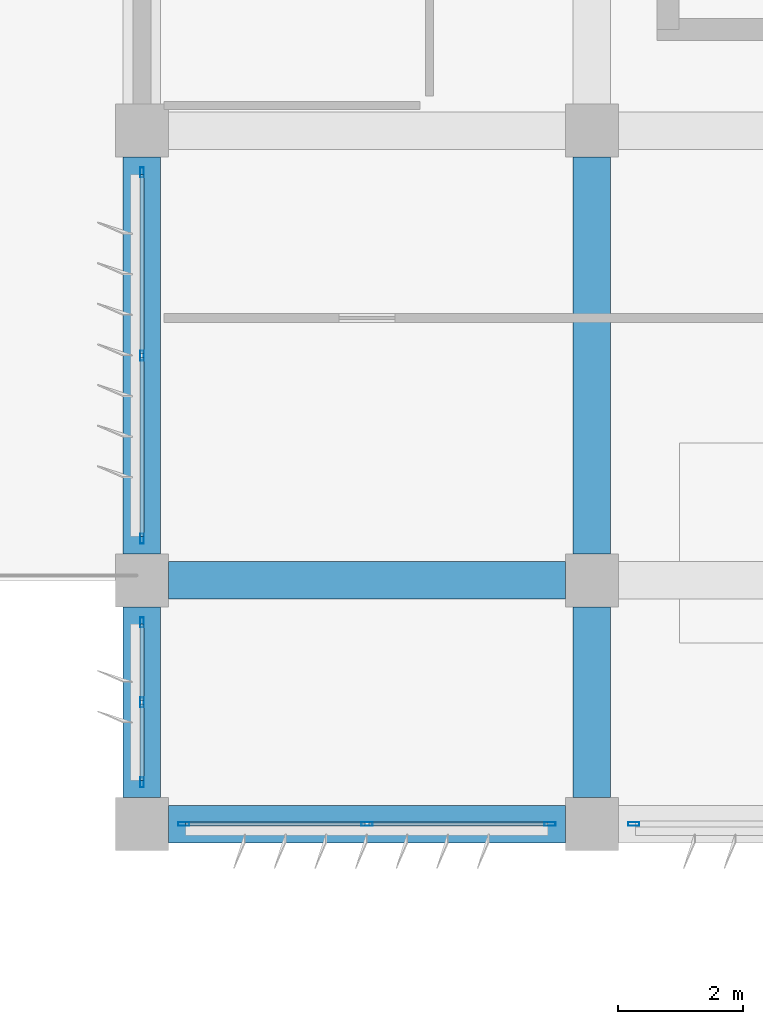
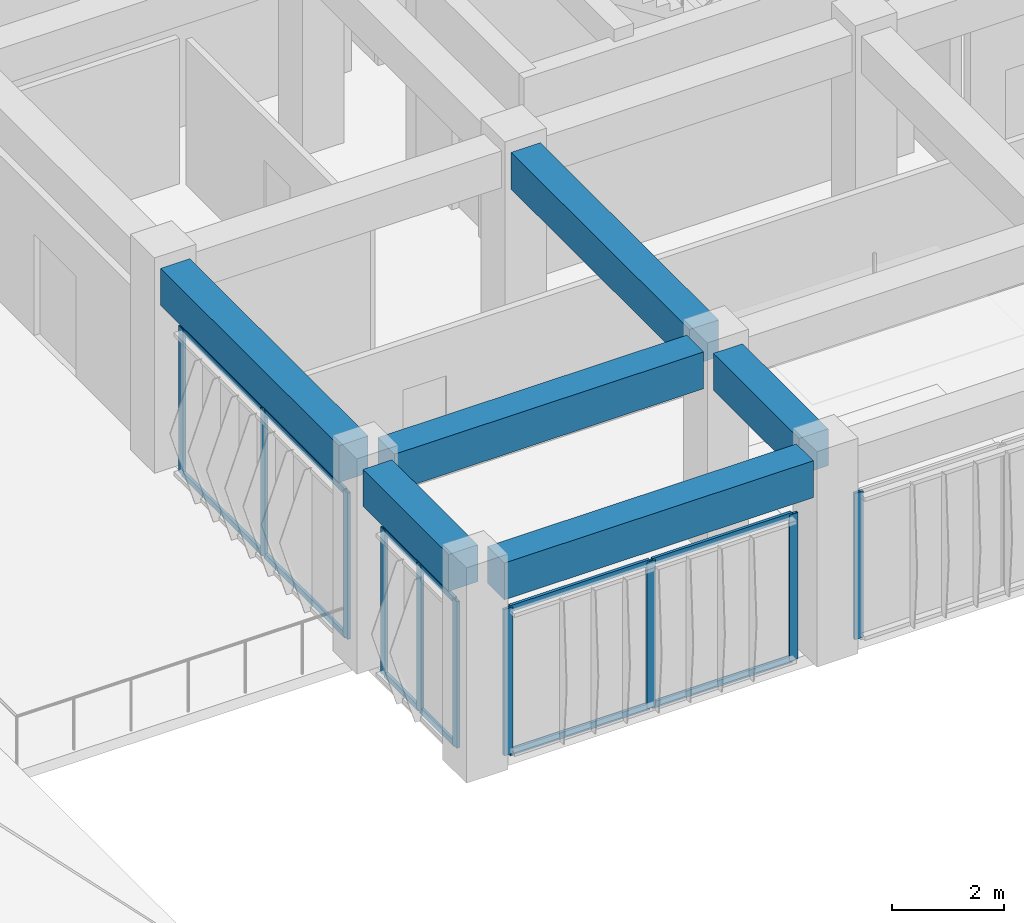
# One storey, part 2 of 55: 22 members, 6 beams, 4 elements without a shape of their own.
"""IFC4 building model written with IfcOpenShell, lengths in metres."""

from ifc_helpers import new_model, si_unit, direction, frame, origin, origin_2d, place, context, subcontext, project, spatial, rectangle, hollow_rectangle, extrude, material, material_profile, profile_set, type_object, element, aggregate, save


model = new_model("IFC4")

# Units and contexts
model_context = context("Model", 3, precision=1e-05, world=origin(), true_north=direction((0.0, 1.0)))
body_context = subcontext(model_context, "Body", "Model", "MODEL_VIEW")
ifc_project = project(units=[si_unit("LENGTHUNIT", "METRE"), si_unit("AREAUNIT", "SQUARE_METRE"), si_unit("VOLUMEUNIT", "CUBIC_METRE"), si_unit("PLANEANGLEUNIT", "RADIAN"), si_unit("MASSUNIT", "GRAM", prefix="KILO")], contexts=[model_context])

# Site, building, storey
site_placement = place(None, origin())
site = spatial("IfcSite", under=ifc_project, at=site_placement, CompositionType="ELEMENT")
building_placement = place(site_placement, origin())
building = spatial("IfcBuilding", under=site, at=building_placement, Name="Kazehaya Institute of Natural Sciences", CompositionType="ELEMENT")
storey_placement = place(building_placement, frame((0.0, 0.0, 15.1201171875)))
storey = spatial("IfcBuildingStorey", under=building, at=storey_placement, Name="L03", CompositionType="ELEMENT", Elevation=15.1201171875)

# Beams
ifc_material_1 = material(Name="Concrete Fc36", Category="concrete")
ifc_material_profile_1 = material_profile(ifc_material_1, rectangle(XDim=0.60009765625, YDim=0.800048828125, at=origin_2d()), Name="RC-600x800")
ifc_profile_set_1 = profile_set([ifc_material_profile_1], Name="Concrete Fc36")
beam_type = type_object("IfcBeamType", Name="BM-G-600x800", PredefinedType="BEAM", material=ifc_profile_set_1)
for number, where, z_axis, x_axis, name in (
    (1, (55.02490234375, 10.10009765625, 4.009765625), (1.0, 0.0, 0.0), (0.0, 1.0, 0.0), "L03 primary X girder BMX-L03-546-101"),
    (2, (55.02490234375, 14.0, 4.009765625), (1.0, 0.0, 0.0), (0.0, 1.0, 0.0), "L03 primary X girder BMX-L03-546-140"),
):
    element("IfcBeam", number, at=place(storey_placement, frame(where, z_axis=z_axis, x_axis=x_axis)), inside=storey, type_object=beam_type, Name=name, PredefinedType="BEAM", context=body_context, shape_type="SweptSolid", body=[
        extrude(rectangle(XDim=0.60009765625, YDim=0.800048828125, at=origin_2d()), origin(), (0.0, 0.0, 1.0), 6.35009765625),
    ])
beam_1_placement = place(storey_placement, frame((54.60009765625, 10.52490234375, 4.009765625), z_axis=(0.0, 1.0, 0.0), x_axis=(-1.0, 0.0, 0.0)))
element("IfcBeam", 3, at=beam_1_placement, inside=storey, type_object=beam_type, Name="L03 primary Y girder BMY-L03-546-101", PredefinedType="BEAM", context=body_context, shape_type="SweptSolid", body=[
    extrude(rectangle(XDim=0.60009765625, YDim=0.800048828125, at=origin_2d()), origin(), (0.0, 0.0, 1.0), 3.050048828125),
])
beam_2_placement = place(storey_placement, frame((54.60009765625, 14.425048828125, 4.009765625), z_axis=(0.0, 1.0, 0.0), x_axis=(-1.0, 0.0, 0.0)))
element("IfcBeam", 4, at=beam_2_placement, inside=storey, type_object=beam_type, Name="L03 primary Y girder BMY-L03-546-140", PredefinedType="BEAM", context=body_context, shape_type="SweptSolid", body=[
    extrude(rectangle(XDim=0.60009765625, YDim=0.800048828125, at=origin_2d()), origin(), (0.0, 0.0, 1.0), 6.349853515625),
])
beam_3_placement = place(storey_placement, frame((61.800048828125, 10.52490234375, 4.009765625), z_axis=(0.0, 1.0, 0.0), x_axis=(-1.0, 0.0, 0.0)))
element("IfcBeam", 5, at=beam_3_placement, inside=storey, type_object=beam_type, Name="L03 primary Y girder BMY-L03-618-101", PredefinedType="BEAM", context=body_context, shape_type="SweptSolid", body=[
    extrude(rectangle(XDim=0.60009765625, YDim=0.800048828125, at=origin_2d()), origin(), (0.0, 0.0, 1.0), 3.050048828125),
])
beam_4_placement = place(storey_placement, frame((61.800048828125, 14.425048828125, 4.009765625), z_axis=(0.0, 1.0, 0.0), x_axis=(-1.0, 0.0, 0.0)))
element("IfcBeam", 6, at=beam_4_placement, inside=storey, type_object=beam_type, Name="L03 primary Y girder BMY-L03-618-140", PredefinedType="BEAM", context=body_context, shape_type="SweptSolid", body=[
    extrude(rectangle(XDim=0.60009765625, YDim=0.800048828125, at=origin_2d()), origin(), (0.0, 0.0, 1.0), 6.349853515625),
])

# Curtain wall, members
ifc_material_2 = material(Name="Aluminium alloy A6063S-T5", Category="aluminium")
curtain_wall_type_1 = type_object("IfcCurtainWallType", Name="CW-SYS-07", PredefinedType="NOTDEFINED", material=ifc_material_2)
curtain_wall_1_placement = place(storey_placement, origin())
curtain_wall_1 = element("IfcCurtainWall", 7, at=curtain_wall_1_placement, inside=storey, type_object=curtain_wall_type_1, Name="L03 unitised curtain wall CW-L03-068", PredefinedType="NOTDEFINED")
ifc_material_profile_2 = material_profile(ifc_material_2, hollow_rectangle(XDim=0.06005859375, YDim=0.159912109375, WallThickness=0.00390625, at=origin_2d()), Name="ALU-60x160x4")
ifc_profile_set_2 = profile_set([ifc_material_profile_2], Name="Aluminium alloy A6063S-T5")
member_type_1 = type_object("IfcMemberType", Name="CWM-160", PredefinedType="MULLION", material=ifc_profile_set_2)
member_1_placement = place(storey_placement, frame((54.60009765625, 10.77001953125, 0.0), z_axis=(0.0, 0.0, 1.0), x_axis=(-1.0, 0.0, 0.0)))
member_1 = element("IfcMember", 8, at=member_1_placement, type_object=member_type_1, Name="CW07 mullion 1", PredefinedType="MULLION", context=body_context, shape_type="SweptSolid", body=[
    extrude(hollow_rectangle(XDim=0.06005859375, YDim=0.159912109375, WallThickness=0.00390625, at=origin_2d()), origin(), (0.0, 0.0, 1.0), 3.179931640625),
])
member_2_placement = place(storey_placement, frame((54.60009765625, 12.050048828125, 0.0), z_axis=(0.0, 0.0, 1.0), x_axis=(-1.0, 0.0, 0.0)))
member_2 = element("IfcMember", 9, at=member_2_placement, type_object=member_type_1, Name="CW07 mullion 2", PredefinedType="MULLION", context=body_context, shape_type="SweptSolid", body=[
    extrude(hollow_rectangle(XDim=0.06005859375, YDim=0.159912109375, WallThickness=0.00390625, at=origin_2d()), origin(), (0.0, 0.0, 1.0), 3.179931640625),
])
member_3_placement = place(storey_placement, frame((54.60009765625, 13.330078125, 0.0), z_axis=(0.0, 0.0, 1.0), x_axis=(-1.0, 0.0, 0.0)))
member_3 = element("IfcMember", 10, at=member_3_placement, type_object=member_type_1, Name="CW07 mullion 3", PredefinedType="MULLION", context=body_context, shape_type="SweptSolid", body=[
    extrude(hollow_rectangle(XDim=0.06005859375, YDim=0.159912109375, WallThickness=0.00390625, at=origin_2d()), origin(), (0.0, 0.0, 1.0), 3.179931640625),
])

curtain_wall_type_2 = type_object("IfcCurtainWallType", Name="CW-SYS-10", PredefinedType="NOTDEFINED", material=ifc_material_2)
curtain_wall_2_placement = place(storey_placement, origin())
curtain_wall_2 = element("IfcCurtainWall", 11, at=curtain_wall_2_placement, inside=storey, type_object=curtain_wall_type_2, Name="L03 unitised curtain wall CW-L03-070", PredefinedType="NOTDEFINED")
member_4_placement = place(storey_placement, frame((54.60009765625, 14.669921875, 0.0), z_axis=(0.0, 0.0, 1.0), x_axis=(-1.0, 0.0, 0.0)))
member_4 = element("IfcMember", 12, at=member_4_placement, type_object=member_type_1, Name="CW10 mullion 1", PredefinedType="MULLION", context=body_context, shape_type="SweptSolid", body=[
    extrude(hollow_rectangle(XDim=0.06005859375, YDim=0.159912109375, WallThickness=0.00390625, at=origin_2d()), origin(), (0.0, 0.0, 1.0), 3.179931640625),
])
member_5_placement = place(storey_placement, frame((54.60009765625, 17.60009765625, 0.0), z_axis=(0.0, 0.0, 1.0), x_axis=(-1.0, 0.0, 0.0)))
member_5 = element("IfcMember", 13, at=member_5_placement, type_object=member_type_1, Name="CW10 mullion 2", PredefinedType="MULLION", context=body_context, shape_type="SweptSolid", body=[
    extrude(hollow_rectangle(XDim=0.06005859375, YDim=0.159912109375, WallThickness=0.00390625, at=origin_2d()), origin(), (0.0, 0.0, 1.0), 3.179931640625),
])
member_6_placement = place(storey_placement, frame((54.60009765625, 20.530029296875, 0.0), z_axis=(0.0, 0.0, 1.0), x_axis=(-1.0, 0.0, 0.0)))
member_6 = element("IfcMember", 14, at=member_6_placement, type_object=member_type_1, Name="CW10 mullion 3", PredefinedType="MULLION", context=body_context, shape_type="SweptSolid", body=[
    extrude(hollow_rectangle(XDim=0.06005859375, YDim=0.159912109375, WallThickness=0.00390625, at=origin_2d()), origin(), (0.0, 0.0, 1.0), 3.179931640625),
])

# Curtain wall, member
curtain_wall_type_3 = type_object("IfcCurtainWallType", Name="CW-SYS-03", PredefinedType="NOTDEFINED", material=ifc_material_2)
curtain_wall_3_placement = place(storey_placement, origin())
curtain_wall_3 = element("IfcCurtainWall", 15, at=curtain_wall_3_placement, inside=storey, type_object=curtain_wall_type_3, Name="L03 unitised curtain wall CW-L03-064", PredefinedType="NOTDEFINED")
ifc_material_profile_3 = material_profile(ifc_material_2, hollow_rectangle(XDim=0.06005859375, YDim=0.179931640625, WallThickness=0.00390625, at=origin_2d()), Name="ALU-60x180x4")
ifc_profile_set_3 = profile_set([ifc_material_profile_3], Name="Aluminium alloy A6063S-T5")
member_type_2 = type_object("IfcMemberType", Name="CWM-180", PredefinedType="MULLION", material=ifc_profile_set_3)
member_7_placement = place(storey_placement, frame((62.469970703125, 10.10009765625, 0.0), z_axis=(0.0, 0.0, 1.0), x_axis=(0.0, -1.0, 0.0)))
member_7 = element("IfcMember", 16, at=member_7_placement, type_object=member_type_2, Name="CW03 mullion 3", PredefinedType="MULLION", context=body_context, shape_type="SweptSolid", body=[
    extrude(hollow_rectangle(XDim=0.06005859375, YDim=0.179931640625, WallThickness=0.00390625, at=origin_2d()), origin(), (0.0, 0.0, 1.0), 3.179931640625),
])
aggregate(curtain_wall_3, [member_7])

# Curtain wall, members
curtain_wall_4_placement = place(storey_placement, origin())
curtain_wall_4 = element("IfcCurtainWall", 17, at=curtain_wall_4_placement, inside=storey, type_object=curtain_wall_type_3, Name="L03 unitised curtain wall CW-L03-065", PredefinedType="NOTDEFINED")
member_8_placement = place(storey_placement, frame((61.1298828125, 10.10009765625, 0.0), z_axis=(0.0, 0.0, 1.0), x_axis=(0.0, -1.0, 0.0)))
member_8 = element("IfcMember", 18, at=member_8_placement, type_object=member_type_2, Name="CW03 mullion 1", PredefinedType="MULLION", context=body_context, shape_type="SweptSolid", body=[
    extrude(hollow_rectangle(XDim=0.06005859375, YDim=0.179931640625, WallThickness=0.00390625, at=origin_2d()), origin(), (0.0, 0.0, 1.0), 3.179931640625),
])
member_9_placement = place(storey_placement, frame((58.199951171875, 10.10009765625, 0.0), z_axis=(0.0, 0.0, 1.0), x_axis=(0.0, -1.0, 0.0)))
member_9 = element("IfcMember", 19, at=member_9_placement, type_object=member_type_2, Name="CW03 mullion 2", PredefinedType="MULLION", context=body_context, shape_type="SweptSolid", body=[
    extrude(hollow_rectangle(XDim=0.06005859375, YDim=0.179931640625, WallThickness=0.00390625, at=origin_2d()), origin(), (0.0, 0.0, 1.0), 3.179931640625),
])
member_10_placement = place(storey_placement, frame((55.27001953125, 10.10009765625, 0.0), z_axis=(0.0, 0.0, 1.0), x_axis=(0.0, -1.0, 0.0)))
member_10 = element("IfcMember", 20, at=member_10_placement, type_object=member_type_2, Name="CW03 mullion 3", PredefinedType="MULLION", context=body_context, shape_type="SweptSolid", body=[
    extrude(hollow_rectangle(XDim=0.06005859375, YDim=0.179931640625, WallThickness=0.00390625, at=origin_2d()), origin(), (0.0, 0.0, 1.0), 3.179931640625),
])

# Member
ifc_material_profile_4 = material_profile(ifc_material_2, hollow_rectangle(XDim=0.06005859375, YDim=0.1201171875, WallThickness=0.00341796875, at=origin_2d()), Name="ALU-60x120x3.5")
ifc_profile_set_4 = profile_set([ifc_material_profile_4], Name="Aluminium alloy A6063S-T5")
member_type_3 = type_object("IfcMemberType", Name="CWT-120", PredefinedType="USERDEFINED", material=ifc_profile_set_4)
member_11_placement = place(storey_placement, frame((54.60009765625, 10.800048828125, 0.02978515625), z_axis=(0.0, 1.0, 0.0), x_axis=(-1.0, 0.0, 0.0)))
member_11 = element("IfcMember", 21, at=member_11_placement, type_object=member_type_3, Name="CW07 transom 1.1", ObjectType="TRANSOM", PredefinedType="USERDEFINED", context=body_context, shape_type="SweptSolid", body=[
    extrude(hollow_rectangle(XDim=0.06005859375, YDim=0.1201171875, WallThickness=0.00341796875, at=origin_2d()), origin(), (0.0, 0.0, 1.0), 1.219970703125),
])

member_12_placement = place(storey_placement, frame((54.60009765625, 10.800048828125, 3.14990234375), z_axis=(0.0, 1.0, 0.0), x_axis=(-1.0, 0.0, 0.0)))
member_12 = element("IfcMember", 22, at=member_12_placement, type_object=member_type_3, Name="CW07 transom 1.2", ObjectType="TRANSOM", PredefinedType="USERDEFINED", context=body_context, shape_type="SweptSolid", body=[
    extrude(hollow_rectangle(XDim=0.06005859375, YDim=0.1201171875, WallThickness=0.00341796875, at=origin_2d()), origin(), (0.0, 0.0, 1.0), 1.219970703125),
])

member_13_placement = place(storey_placement, frame((54.60009765625, 12.080078125, 0.02978515625), z_axis=(0.0, 1.0, 0.0), x_axis=(-1.0, 0.0, 0.0)))
member_13 = element("IfcMember", 23, at=member_13_placement, type_object=member_type_3, Name="CW07 transom 2.1", ObjectType="TRANSOM", PredefinedType="USERDEFINED", context=body_context, shape_type="SweptSolid", body=[
    extrude(hollow_rectangle(XDim=0.06005859375, YDim=0.1201171875, WallThickness=0.00341796875, at=origin_2d()), origin(), (0.0, 0.0, 1.0), 1.219970703125),
])

member_14_placement = place(storey_placement, frame((54.60009765625, 12.080078125, 3.14990234375), z_axis=(0.0, 1.0, 0.0), x_axis=(-1.0, 0.0, 0.0)))
member_14 = element("IfcMember", 24, at=member_14_placement, type_object=member_type_3, Name="CW07 transom 2.2", ObjectType="TRANSOM", PredefinedType="USERDEFINED", context=body_context, shape_type="SweptSolid", body=[
    extrude(hollow_rectangle(XDim=0.06005859375, YDim=0.1201171875, WallThickness=0.00341796875, at=origin_2d()), origin(), (0.0, 0.0, 1.0), 1.219970703125),
])

aggregate(curtain_wall_1, [member_1, member_2, member_3, member_11, member_12, member_13, member_14])

member_15_placement = place(storey_placement, frame((54.60009765625, 14.699951171875, 0.02978515625), z_axis=(0.0, 1.0, 0.0), x_axis=(-1.0, 0.0, 0.0)))
member_15 = element("IfcMember", 25, at=member_15_placement, type_object=member_type_3, Name="CW10 transom 1.1", ObjectType="TRANSOM", PredefinedType="USERDEFINED", context=body_context, shape_type="SweptSolid", body=[
    extrude(hollow_rectangle(XDim=0.06005859375, YDim=0.1201171875, WallThickness=0.00341796875, at=origin_2d()), origin(), (0.0, 0.0, 1.0), 2.8701171875),
])

member_16_placement = place(storey_placement, frame((54.60009765625, 14.699951171875, 3.14990234375), z_axis=(0.0, 1.0, 0.0), x_axis=(-1.0, 0.0, 0.0)))
member_16 = element("IfcMember", 26, at=member_16_placement, type_object=member_type_3, Name="CW10 transom 1.2", ObjectType="TRANSOM", PredefinedType="USERDEFINED", context=body_context, shape_type="SweptSolid", body=[
    extrude(hollow_rectangle(XDim=0.06005859375, YDim=0.1201171875, WallThickness=0.00341796875, at=origin_2d()), origin(), (0.0, 0.0, 1.0), 2.8701171875),
])

member_17_placement = place(storey_placement, frame((54.60009765625, 17.6298828125, 0.02978515625), z_axis=(0.0, 1.0, 0.0), x_axis=(-1.0, 0.0, 0.0)))
member_17 = element("IfcMember", 27, at=member_17_placement, type_object=member_type_3, Name="CW10 transom 2.1", ObjectType="TRANSOM", PredefinedType="USERDEFINED", context=body_context, shape_type="SweptSolid", body=[
    extrude(hollow_rectangle(XDim=0.06005859375, YDim=0.1201171875, WallThickness=0.00341796875, at=origin_2d()), origin(), (0.0, 0.0, 1.0), 2.8701171875),
])

member_18_placement = place(storey_placement, frame((54.60009765625, 17.6298828125, 3.14990234375), z_axis=(0.0, 1.0, 0.0), x_axis=(-1.0, 0.0, 0.0)))
member_18 = element("IfcMember", 28, at=member_18_placement, type_object=member_type_3, Name="CW10 transom 2.2", ObjectType="TRANSOM", PredefinedType="USERDEFINED", context=body_context, shape_type="SweptSolid", body=[
    extrude(hollow_rectangle(XDim=0.06005859375, YDim=0.1201171875, WallThickness=0.00341796875, at=origin_2d()), origin(), (0.0, 0.0, 1.0), 2.8701171875),
])

aggregate(curtain_wall_2, [member_4, member_5, member_6, member_15, member_16, member_17, member_18])

ifc_material_profile_5 = material_profile(ifc_material_2, hollow_rectangle(XDim=0.06005859375, YDim=0.139892578125, WallThickness=0.00341796875, at=origin_2d()), Name="ALU-60x140x3.5")
ifc_profile_set_5 = profile_set([ifc_material_profile_5], Name="Aluminium alloy A6063S-T5")
member_type_4 = type_object("IfcMemberType", Name="CWT-140", PredefinedType="USERDEFINED", material=ifc_profile_set_5)
member_19_placement = place(storey_placement, frame((61.10009765625, 10.10009765625, 0.02978515625), z_axis=(-1.0, 0.0, 0.0), x_axis=(0.0, -1.0, 0.0)))
member_19 = element("IfcMember", 29, at=member_19_placement, type_object=member_type_4, Name="CW03 transom 1.1", ObjectType="TRANSOM", PredefinedType="USERDEFINED", context=body_context, shape_type="SweptSolid", body=[
    extrude(hollow_rectangle(XDim=0.06005859375, YDim=0.139892578125, WallThickness=0.00341796875, at=origin_2d()), origin(), (0.0, 0.0, 1.0), 2.8701171875),
])

member_20_placement = place(storey_placement, frame((61.10009765625, 10.10009765625, 3.14990234375), z_axis=(-1.0, 0.0, 0.0), x_axis=(0.0, -1.0, 0.0)))
member_20 = element("IfcMember", 30, at=member_20_placement, type_object=member_type_4, Name="CW03 transom 1.2", ObjectType="TRANSOM", PredefinedType="USERDEFINED", context=body_context, shape_type="SweptSolid", body=[
    extrude(hollow_rectangle(XDim=0.06005859375, YDim=0.139892578125, WallThickness=0.00341796875, at=origin_2d()), origin(), (0.0, 0.0, 1.0), 2.8701171875),
])

member_21_placement = place(storey_placement, frame((58.169921875, 10.10009765625, 0.02978515625), z_axis=(-1.0, 0.0, 0.0), x_axis=(0.0, -1.0, 0.0)))
member_21 = element("IfcMember", 31, at=member_21_placement, type_object=member_type_4, Name="CW03 transom 2.1", ObjectType="TRANSOM", PredefinedType="USERDEFINED", context=body_context, shape_type="SweptSolid", body=[
    extrude(hollow_rectangle(XDim=0.06005859375, YDim=0.139892578125, WallThickness=0.00341796875, at=origin_2d()), origin(), (0.0, 0.0, 1.0), 2.869873046875),
])

member_22_placement = place(storey_placement, frame((58.169921875, 10.10009765625, 3.14990234375), z_axis=(-1.0, 0.0, 0.0), x_axis=(0.0, -1.0, 0.0)))
member_22 = element("IfcMember", 32, at=member_22_placement, type_object=member_type_4, Name="CW03 transom 2.2", ObjectType="TRANSOM", PredefinedType="USERDEFINED", context=body_context, shape_type="SweptSolid", body=[
    extrude(hollow_rectangle(XDim=0.06005859375, YDim=0.139892578125, WallThickness=0.00341796875, at=origin_2d()), origin(), (0.0, 0.0, 1.0), 2.869873046875),
])

aggregate(curtain_wall_4, [member_8, member_9, member_10, member_19, member_20, member_21, member_22])

save(model, "model.ifc")
